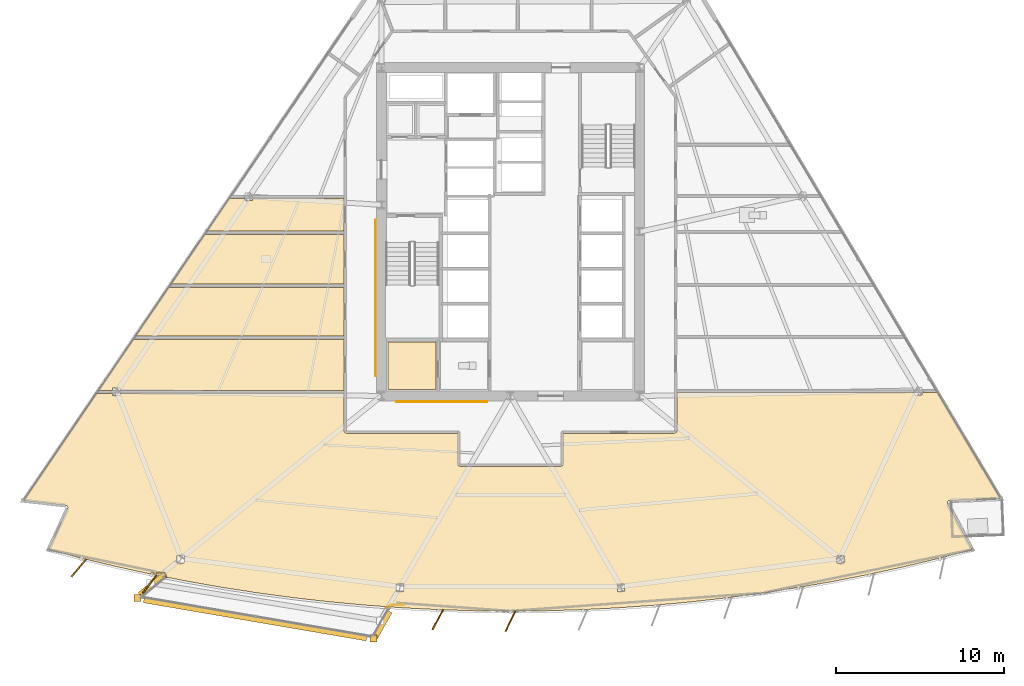
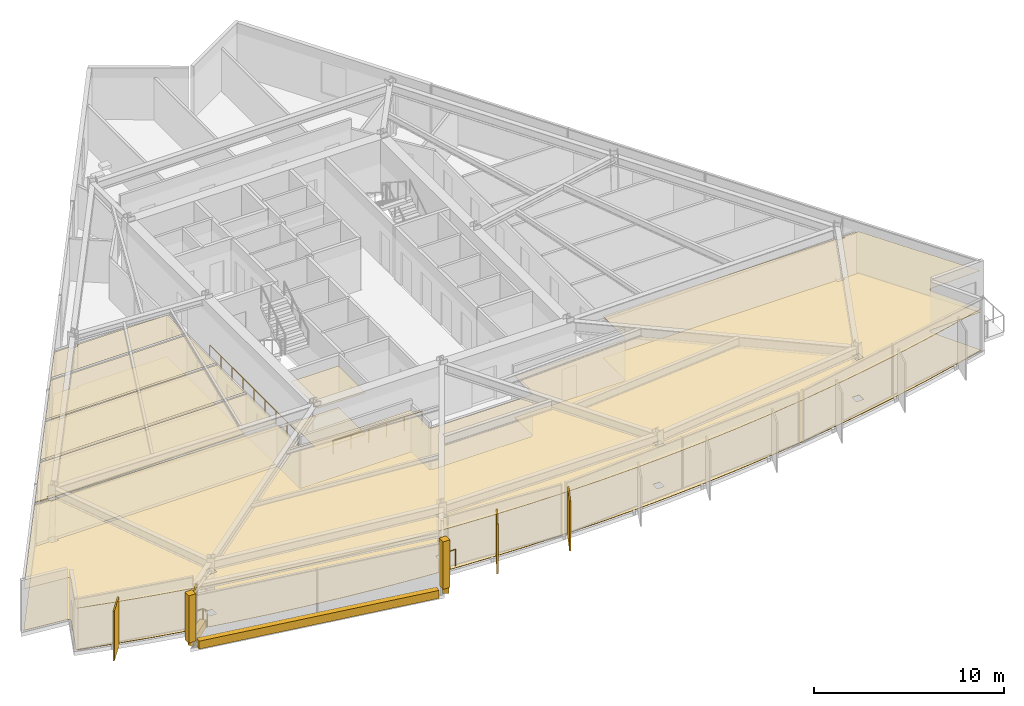
# One storey, part 13 of 17: 17 coverings, 4 railings, 4 shading devices.
"""IFC4 building model written with IfcOpenShell, lengths in metres."""

from ifc_helpers import new_model, si_unit, direction, frame, origin, origin_2d, place, context, subcontext, project, spatial, polyline, rectangle, circle, outline, extrude, material, layer, layer_set, type_object, element, save


model = new_model("IFC4")

# Units and contexts
model_context = context("Model", 3, precision=1e-05, world=origin(), true_north=direction((0.0, 1.0)))
body_context = subcontext(model_context, "Body", "Model", "MODEL_VIEW")
ifc_project = project(units=[si_unit("LENGTHUNIT", "METRE"), si_unit("AREAUNIT", "SQUARE_METRE"), si_unit("VOLUMEUNIT", "CUBIC_METRE"), si_unit("PLANEANGLEUNIT", "RADIAN"), si_unit("MASSUNIT", "GRAM", prefix="KILO")], contexts=[model_context])

# Site, building, storey
site_placement = place(None, origin())
site = spatial("IfcSite", under=ifc_project, at=site_placement, CompositionType="ELEMENT")
building_placement = place(site_placement, origin())
building = spatial("IfcBuilding", under=site, at=building_placement, Name="Savorim Split Tower", CompositionType="ELEMENT")
storey_placement = place(building_placement, frame((0.0, 0.0, 58.800048828125)))
storey = spatial("IfcBuildingStorey", under=building, at=storey_placement, Name="L15", CompositionType="ELEMENT", Elevation=58.800048828125)

# Coverings
ifc_material_1 = material(Name="Mineral Fibre Acoustic Ceiling")
ifc_layer_1 = layer(ifc_material_1, 0.02490234375)
ifc_layer_set_1 = layer_set([ifc_layer_1], Name="COV-CEIL-25")
covering_type_1 = type_object("IfcCoveringType", Name="COV-CEIL-25", PredefinedType="CEILING", material=ifc_layer_set_1)
covering_1_placement = place(storey_placement, frame((0.0, 0.0, 2.669921875)))
element("IfcCovering", 1, at=covering_1_placement, inside=storey, type_object=covering_type_1, Name="L15 Housekeeping Store Acoustic Ceiling", PredefinedType="CEILING", context=body_context, shape_type="SweptSolid", body=[
    extrude(outline(polyline([(-7.320068359375, -6.179931640625), (-7.320068359375, -9.02001953125), (-4.429931640625, -9.02001953125), (-4.429931640625, -6.179931640625), (-7.320068359375, -6.179931640625)])), origin(), (0.0, 0.0, 1.0), 0.025146484375),
])
covering_2_placement = place(storey_placement, frame((0.0, 0.0, 2.669921875)))
element("IfcCovering", 2, at=covering_2_placement, inside=storey, type_object=covering_type_1, Name="L15 Shared Kitchen Acoustic Ceiling", PredefinedType="CEILING", context=body_context, shape_type="SweptSolid", body=[
    extrude(outline(polyline([(-18.239501953125, 0.243896484375), (-20.262939453125, -2.730712890625), (-9.919921875, -2.730712890625), (-9.919921875, 0.243896484375), (-18.239501953125, 0.243896484375)])), origin(), (0.0, 0.0, 1.0), 0.025146484375),
])
covering_3_placement = place(storey_placement, frame((0.0, 0.0, 2.669921875)))
element("IfcCovering", 3, at=covering_3_placement, inside=storey, type_object=covering_type_1, Name="L15 Maker Workshop Acoustic Ceiling", PredefinedType="CEILING", context=body_context, shape_type="SweptSolid", body=[
    extrude(outline(polyline([(-20.39208984375, -2.920654296875), (-22.367431640625, -5.82421875), (-9.919921875, -5.82421875), (-9.919921875, -2.920654296875), (-20.39208984375, -2.920654296875)])), origin(), (0.0, 0.0, 1.0), 0.025146484375),
])
covering_4_placement = place(storey_placement, frame((0.0, 0.0, 2.669921875)))
element("IfcCovering", 4, at=covering_4_placement, inside=storey, type_object=covering_type_1, Name="L15 Maker Workshop Acoustic Ceiling", PredefinedType="CEILING", context=body_context, shape_type="SweptSolid", body=[
    extrude(outline(polyline([(-23.30517578125, -8.92724609375), (-23.30517578125, -9.059814453125), (-9.919921875, -9.059814453125), (-9.919921875, -6.014404296875), (-22.496826171875, -6.014404296875), (-24.568603515625, -9.059814453125), (-23.7373046875, -9.059814453125), (-23.7373046875, -8.92724609375), (-23.30517578125, -8.92724609375)])), origin(), (0.0, 0.0, 1.0), 0.025146484375),
])
covering_5_placement = place(storey_placement, frame((0.0, 0.0, 2.669921875)))
element("IfcCovering", 5, at=covering_5_placement, inside=storey, type_object=covering_type_1, Name="L15 Maker Workshop Acoustic Ceiling", PredefinedType="CEILING", context=body_context, shape_type="SweptSolid", body=[
    extrude(outline(polyline([(-26.404052734375, -16.033447265625), (-26.40380859375, -16.04541015625), (-26.40478515625, -16.057373046875), (-26.406982421875, -16.069091796875), (-26.410400390625, -16.08056640625), (-26.414794921875, -16.091552734375), (-27.549560546875, -18.561767578125), (-25.601806640625, -19.071044921875), (-23.50634765625, -19.573486328125), (-21.40087890625, -20.032958984375), (-19.286376953125, -20.44921875), (-17.163818359375, -20.822265625), (-15.0341796875, -21.15185546875), (-12.898193359375, -21.4375), (-10.756591796875, -21.6796875), (-8.610595703125, -21.877685546875), (-6.461181640625, -22.031982421875), (-4.30908203125, -22.14208984375), (-2.15478515625, -22.208251953125), (0.0, -22.23046875), (2.15478515625, -22.208251953125), (4.30908203125, -22.14208984375), (6.461181640625, -22.031982421875), (8.610595703125, -21.877685546875), (10.756591796875, -21.6796875), (12.898193359375, -21.4375), (15.0341796875, -21.15185546875), (17.163818359375, -20.822265625), (19.286376953125, -20.44921875), (21.40087890625, -20.032958984375), (23.50634765625, -19.573486328125), (25.601806640625, -19.071044921875), (27.54052734375, -18.564208984375), (26.066650390625, -15.817138671875), (26.061767578125, -15.806640625), (26.057861328125, -15.7958984375), (26.054931640625, -15.78466796875), (26.052978515625, -15.773193359375), (26.052490234375, -15.76171875), (26.052734375, -15.750244140625), (26.054443359375, -15.73876953125), (26.056884765625, -15.7275390625), (26.060791015625, -15.716552734375), (26.0654296875, -15.7060546875), (26.071044921875, -15.696044921875), (26.077880859375, -15.6865234375), (26.085205078125, -15.677978515625), (26.093505859375, -15.669921875), (26.102783203125, -15.66259765625), (26.1123046875, -15.656494140625), (26.122802734375, -15.651123046875), (26.13330078125, -15.64697265625), (26.14453125, -15.643798828125), (26.15576171875, -15.6416015625), (26.167236328125, -15.640380859375), (29.23046875, -15.51025390625), (25.458984375, -9.16796875), (25.458984375, -9.200927734375), (24.53662109375, -9.200927734375), (24.53662109375, -9.33349609375), (24.104736328125, -9.33349609375), (24.104736328125, -9.200927734375), (9.919921875, -9.200927734375), (9.919921875, -11.47998046875), (9.919189453125, -11.49365234375), (9.917236328125, -11.50732421875), (9.9140625, -11.5205078125), (9.9091796875, -11.53369140625), (9.903564453125, -11.5458984375), (9.896484375, -11.557861328125), (9.88818359375, -11.56884765625), (9.87890625, -11.5791015625), (9.868896484375, -11.588134765625), (9.85791015625, -11.596435546875), (9.845947265625, -11.603515625), (9.83349609375, -11.609375), (9.820556640625, -11.614013671875), (9.807373046875, -11.6171875), (9.793701171875, -11.619384765625), (9.780029296875, -11.6201171875), (3.139892578125, -11.6201171875), (3.139892578125, -13.449951171875), (3.139404296875, -13.463623046875), (3.13720703125, -13.477294921875), (3.134033203125, -13.490478515625), (3.12939453125, -13.503662109375), (3.12353515625, -13.51611328125), (3.116455078125, -13.52783203125), (3.108154296875, -13.538818359375), (3.09912109375, -13.549072265625), (3.0888671875, -13.55810546875), (3.077880859375, -13.56640625), (3.06591796875, -13.573486328125), (3.0537109375, -13.579345703125), (3.04052734375, -13.583984375), (3.02734375, -13.58740234375), (3.013671875, -13.58935546875), (3.0, -13.590087890625), (-3.0, -13.590087890625), (-3.013671875, -13.58935546875), (-3.02734375, -13.58740234375), (-3.04052734375, -13.583984375), (-3.0537109375, -13.579345703125), (-3.06591796875, -13.573486328125), (-3.077880859375, -13.56640625), (-3.0888671875, -13.55810546875), (-3.09912109375, -13.549072265625), (-3.108154296875, -13.538818359375), (-3.116455078125, -13.52783203125), (-3.12353515625, -13.51611328125), (-3.12939453125, -13.503662109375), (-3.134033203125, -13.490478515625), (-3.13720703125, -13.477294921875), (-3.139404296875, -13.463623046875), (-3.139892578125, -13.449951171875), (-3.139892578125, -11.6201171875), (-9.780029296875, -11.6201171875), (-9.793701171875, -11.619384765625), (-9.807373046875, -11.6171875), (-9.820556640625, -11.614013671875), (-9.83349609375, -11.609375), (-9.845947265625, -11.603515625), (-9.85791015625, -11.596435546875), (-9.868896484375, -11.588134765625), (-9.87890625, -11.5791015625), (-9.88818359375, -11.56884765625), (-9.896484375, -11.557861328125), (-9.903564453125, -11.5458984375), (-9.9091796875, -11.53369140625), (-9.9140625, -11.5205078125), (-9.917236328125, -11.50732421875), (-9.919189453125, -11.49365234375), (-9.919921875, -11.47998046875), (-9.919921875, -9.249755859375), (-23.30517578125, -9.249755859375), (-23.30517578125, -9.38232421875), (-23.7373046875, -9.38232421875), (-23.7373046875, -9.249755859375), (-24.57275390625, -9.249755859375), (-24.667724609375, -9.249755859375), (-24.667724609375, -9.20556640625), (-29.04443359375, -15.639404296875), (-26.510498046875, -15.922119140625), (-26.498779296875, -15.92431640625), (-26.4873046875, -15.92724609375), (-26.47607421875, -15.931396484375), (-26.46533203125, -15.936767578125), (-26.455078125, -15.943115234375), (-26.44580078125, -15.9501953125), (-26.43701171875, -15.95849609375), (-26.42919921875, -15.967529296875), (-26.42236328125, -15.977294921875), (-26.41650390625, -15.98779296875), (-26.41162109375, -15.99853515625), (-26.407958984375, -16.010009765625), (-26.405517578125, -16.021484375), (-26.404052734375, -16.033447265625)]), holes=[polyline([(-19.894775390625, -19.372802734375), (-19.462646484375, -19.372802734375), (-19.462646484375, -18.91796875), (-19.894775390625, -18.91796875), (-19.894775390625, -19.372802734375)]), polyline([(-6.811279296875, -21.052734375), (-6.37939453125, -21.052734375), (-6.37939453125, -20.59765625), (-6.811279296875, -20.59765625), (-6.811279296875, -21.052734375)]), polyline([(6.37939453125, -21.052734375), (6.811279296875, -21.052734375), (6.811279296875, -20.59765625), (6.37939453125, -20.59765625), (6.37939453125, -21.052734375)]), polyline([(19.894775390625, -19.372802734375), (19.894775390625, -18.91796875), (19.462646484375, -18.91796875), (19.462646484375, -19.372802734375), (19.894775390625, -19.372802734375)])]), origin(), (0.0, 0.0, 1.0), 0.025146484375),
])
covering_6_placement = place(storey_placement, frame((0.0, 0.0, 2.669921875)))
element("IfcCovering", 6, at=covering_6_placement, inside=storey, type_object=covering_type_1, Name="L15 Maker Workshop Acoustic Ceiling", PredefinedType="CEILING", context=body_context, shape_type="SweptSolid", body=[
    extrude(outline(polyline([(-15.822265625, 2.385009765625), (-16.657958984375, 2.385009765625), (-16.7529296875, 2.385009765625), (-16.7529296875, 2.42919921875), (-18.110107421875, 0.43408203125), (-9.919921875, 0.43408203125), (-9.919921875, 2.385009765625), (-15.390380859375, 2.385009765625), (-15.390380859375, 2.25244140625), (-15.822265625, 2.25244140625), (-15.822265625, 2.385009765625)])), origin(), (0.0, 0.0, 1.0), 0.025146484375),
])
ifc_material_2 = material(Name="Porcelain Stoneware Flooring", Category="masonry")
ifc_layer_2 = layer(ifc_material_2, 0.02001953125)
ifc_layer_set_2 = layer_set([ifc_layer_2], Name="COV-FLOR-20")
covering_type_2 = type_object("IfcCoveringType", Name="COV-FLOR-20", PredefinedType="FLOORING", material=ifc_layer_set_2)
covering_7_placement = place(storey_placement, origin())
element("IfcCovering", 7, at=covering_7_placement, inside=storey, type_object=covering_type_2, Name="L15 Housekeeping Store Porcelain Flooring", PredefinedType="FLOORING", context=body_context, shape_type="SweptSolid", body=[
    extrude(outline(polyline([(-7.320068359375, -6.179931640625), (-7.320068359375, -9.02001953125), (-4.429931640625, -9.02001953125), (-4.429931640625, -6.179931640625), (-7.320068359375, -6.179931640625)])), origin(), (0.0, 0.0, 1.0), 0.02001953125),
])
covering_8_placement = place(storey_placement, origin())
element("IfcCovering", 8, at=covering_8_placement, inside=storey, type_object=covering_type_2, Name="L15 Shared Kitchen Porcelain Flooring", PredefinedType="FLOORING", context=body_context, shape_type="SweptSolid", body=[
    extrude(outline(polyline([(-18.239501953125, 0.243896484375), (-20.262939453125, -2.730712890625), (-9.919921875, -2.730712890625), (-9.919921875, 0.243896484375), (-18.239501953125, 0.243896484375)])), origin(), (0.0, 0.0, 1.0), 0.02001953125),
])
covering_9_placement = place(storey_placement, origin())
element("IfcCovering", 9, at=covering_9_placement, inside=storey, type_object=covering_type_2, Name="L15 Maker Workshop Porcelain Flooring", PredefinedType="FLOORING", context=body_context, shape_type="SweptSolid", body=[
    extrude(outline(polyline([(-20.39208984375, -2.920654296875), (-22.367431640625, -5.82421875), (-9.919921875, -5.82421875), (-9.919921875, -2.920654296875), (-20.39208984375, -2.920654296875)])), origin(), (0.0, 0.0, 1.0), 0.02001953125),
])
covering_10_placement = place(storey_placement, origin())
element("IfcCovering", 10, at=covering_10_placement, inside=storey, type_object=covering_type_2, Name="L15 Maker Workshop Porcelain Flooring", PredefinedType="FLOORING", context=body_context, shape_type="SweptSolid", body=[
    extrude(outline(polyline([(-23.30517578125, -8.92724609375), (-23.30517578125, -9.059814453125), (-9.919921875, -9.059814453125), (-9.919921875, -6.014404296875), (-22.496826171875, -6.014404296875), (-24.568603515625, -9.059814453125), (-23.7373046875, -9.059814453125), (-23.7373046875, -8.92724609375), (-23.30517578125, -8.92724609375)])), origin(), (0.0, 0.0, 1.0), 0.02001953125),
])
covering_11_placement = place(storey_placement, origin())
element("IfcCovering", 11, at=covering_11_placement, inside=storey, type_object=covering_type_2, Name="L15 Maker Workshop Porcelain Flooring", PredefinedType="FLOORING", context=body_context, shape_type="SweptSolid", body=[
    extrude(outline(polyline([(-26.404052734375, -16.033447265625), (-26.40380859375, -16.04541015625), (-26.40478515625, -16.057373046875), (-26.406982421875, -16.069091796875), (-26.410400390625, -16.08056640625), (-26.414794921875, -16.091552734375), (-27.549560546875, -18.561767578125), (-25.601806640625, -19.071044921875), (-23.50634765625, -19.573486328125), (-21.40087890625, -20.032958984375), (-19.286376953125, -20.44921875), (-17.163818359375, -20.822265625), (-15.0341796875, -21.15185546875), (-12.898193359375, -21.4375), (-10.756591796875, -21.6796875), (-8.610595703125, -21.877685546875), (-6.461181640625, -22.031982421875), (-4.30908203125, -22.14208984375), (-2.15478515625, -22.208251953125), (0.0, -22.23046875), (2.15478515625, -22.208251953125), (4.30908203125, -22.14208984375), (6.461181640625, -22.031982421875), (8.610595703125, -21.877685546875), (10.756591796875, -21.6796875), (12.898193359375, -21.4375), (15.0341796875, -21.15185546875), (17.163818359375, -20.822265625), (19.286376953125, -20.44921875), (21.40087890625, -20.032958984375), (23.50634765625, -19.573486328125), (25.601806640625, -19.071044921875), (27.54052734375, -18.564208984375), (26.066650390625, -15.817138671875), (26.061767578125, -15.806640625), (26.057861328125, -15.7958984375), (26.054931640625, -15.78466796875), (26.052978515625, -15.773193359375), (26.052490234375, -15.76171875), (26.052734375, -15.750244140625), (26.054443359375, -15.73876953125), (26.056884765625, -15.7275390625), (26.060791015625, -15.716552734375), (26.0654296875, -15.7060546875), (26.071044921875, -15.696044921875), (26.077880859375, -15.6865234375), (26.085205078125, -15.677978515625), (26.093505859375, -15.669921875), (26.102783203125, -15.66259765625), (26.1123046875, -15.656494140625), (26.122802734375, -15.651123046875), (26.13330078125, -15.64697265625), (26.14453125, -15.643798828125), (26.15576171875, -15.6416015625), (26.167236328125, -15.640380859375), (29.23046875, -15.51025390625), (25.458984375, -9.16796875), (25.458984375, -9.200927734375), (24.53662109375, -9.200927734375), (24.53662109375, -9.33349609375), (24.104736328125, -9.33349609375), (24.104736328125, -9.200927734375), (9.919921875, -9.200927734375), (9.919921875, -11.47998046875), (9.919189453125, -11.49365234375), (9.917236328125, -11.50732421875), (9.9140625, -11.5205078125), (9.9091796875, -11.53369140625), (9.903564453125, -11.5458984375), (9.896484375, -11.557861328125), (9.88818359375, -11.56884765625), (9.87890625, -11.5791015625), (9.868896484375, -11.588134765625), (9.85791015625, -11.596435546875), (9.845947265625, -11.603515625), (9.83349609375, -11.609375), (9.820556640625, -11.614013671875), (9.807373046875, -11.6171875), (9.793701171875, -11.619384765625), (9.780029296875, -11.6201171875), (3.139892578125, -11.6201171875), (3.139892578125, -13.449951171875), (3.139404296875, -13.463623046875), (3.13720703125, -13.477294921875), (3.134033203125, -13.490478515625), (3.12939453125, -13.503662109375), (3.12353515625, -13.51611328125), (3.116455078125, -13.52783203125), (3.108154296875, -13.538818359375), (3.09912109375, -13.549072265625), (3.0888671875, -13.55810546875), (3.077880859375, -13.56640625), (3.06591796875, -13.573486328125), (3.0537109375, -13.579345703125), (3.04052734375, -13.583984375), (3.02734375, -13.58740234375), (3.013671875, -13.58935546875), (3.0, -13.590087890625), (-3.0, -13.590087890625), (-3.013671875, -13.58935546875), (-3.02734375, -13.58740234375), (-3.04052734375, -13.583984375), (-3.0537109375, -13.579345703125), (-3.06591796875, -13.573486328125), (-3.077880859375, -13.56640625), (-3.0888671875, -13.55810546875), (-3.09912109375, -13.549072265625), (-3.108154296875, -13.538818359375), (-3.116455078125, -13.52783203125), (-3.12353515625, -13.51611328125), (-3.12939453125, -13.503662109375), (-3.134033203125, -13.490478515625), (-3.13720703125, -13.477294921875), (-3.139404296875, -13.463623046875), (-3.139892578125, -13.449951171875), (-3.139892578125, -11.6201171875), (-9.780029296875, -11.6201171875), (-9.793701171875, -11.619384765625), (-9.807373046875, -11.6171875), (-9.820556640625, -11.614013671875), (-9.83349609375, -11.609375), (-9.845947265625, -11.603515625), (-9.85791015625, -11.596435546875), (-9.868896484375, -11.588134765625), (-9.87890625, -11.5791015625), (-9.88818359375, -11.56884765625), (-9.896484375, -11.557861328125), (-9.903564453125, -11.5458984375), (-9.9091796875, -11.53369140625), (-9.9140625, -11.5205078125), (-9.917236328125, -11.50732421875), (-9.919189453125, -11.49365234375), (-9.919921875, -11.47998046875), (-9.919921875, -9.249755859375), (-23.30517578125, -9.249755859375), (-23.30517578125, -9.38232421875), (-23.7373046875, -9.38232421875), (-23.7373046875, -9.249755859375), (-24.57275390625, -9.249755859375), (-24.667724609375, -9.249755859375), (-24.667724609375, -9.20556640625), (-29.04443359375, -15.639404296875), (-26.510498046875, -15.922119140625), (-26.498779296875, -15.92431640625), (-26.4873046875, -15.92724609375), (-26.47607421875, -15.931396484375), (-26.46533203125, -15.936767578125), (-26.455078125, -15.943115234375), (-26.44580078125, -15.9501953125), (-26.43701171875, -15.95849609375), (-26.42919921875, -15.967529296875), (-26.42236328125, -15.977294921875), (-26.41650390625, -15.98779296875), (-26.41162109375, -15.99853515625), (-26.407958984375, -16.010009765625), (-26.405517578125, -16.021484375), (-26.404052734375, -16.033447265625)]), holes=[polyline([(-19.894775390625, -19.372802734375), (-19.462646484375, -19.372802734375), (-19.462646484375, -18.91796875), (-19.894775390625, -18.91796875), (-19.894775390625, -19.372802734375)]), polyline([(-6.811279296875, -21.052734375), (-6.37939453125, -21.052734375), (-6.37939453125, -20.59765625), (-6.811279296875, -20.59765625), (-6.811279296875, -21.052734375)]), polyline([(6.37939453125, -21.052734375), (6.811279296875, -21.052734375), (6.811279296875, -20.59765625), (6.37939453125, -20.59765625), (6.37939453125, -21.052734375)]), polyline([(19.894775390625, -19.372802734375), (19.894775390625, -18.91796875), (19.462646484375, -18.91796875), (19.462646484375, -19.372802734375), (19.894775390625, -19.372802734375)])]), origin(), (0.0, 0.0, 1.0), 0.02001953125),
])
covering_12_placement = place(storey_placement, origin())
element("IfcCovering", 12, at=covering_12_placement, inside=storey, type_object=covering_type_2, Name="L15 Maker Workshop Porcelain Flooring", PredefinedType="FLOORING", context=body_context, shape_type="SweptSolid", body=[
    extrude(outline(polyline([(-15.822265625, 2.385009765625), (-16.657958984375, 2.385009765625), (-16.7529296875, 2.385009765625), (-16.7529296875, 2.42919921875), (-18.110107421875, 0.43408203125), (-9.919921875, 0.43408203125), (-9.919921875, 2.385009765625), (-15.390380859375, 2.385009765625), (-15.390380859375, 2.25244140625), (-15.822265625, 2.25244140625), (-15.822265625, 2.385009765625)])), origin(), (0.0, 0.0, 1.0), 0.02001953125),
])
ifc_material_3 = material(Name="White Porcelain Architectural Cladding")
ifc_layer_3 = layer(ifc_material_3, 0.139892578125)
ifc_layer_set_3 = layer_set([ifc_layer_3], Name="COV-FRM-WHITE")
covering_type_3 = type_object("IfcCoveringType", Name="COV-FRM-WHITE", PredefinedType="CLADDING", material=ifc_layer_set_3)
covering_13_placement = place(storey_placement, frame((0.0, 0.0, 0.010009765625)))
element("IfcCovering", 13, at=covering_13_placement, inside=storey, type_object=covering_type_3, Name="L15 Cantilevered Lounge White Lower Frame Band W", PredefinedType="CLADDING", context=body_context, shape_type="SweptSolid", body=[
    extrude(outline(polyline([(-20.82421875, -19.976806640625), (-22.2109375, -21.12451171875), (-21.994140625, -21.386474609375), (-20.607421875, -20.23876953125), (-20.82421875, -19.976806640625)])), origin(), (0.0, 0.0, 1.0), 0.510009765625),
])
covering_14_placement = place(storey_placement, frame((0.0, 0.0, 0.010009765625)))
element("IfcCovering", 14, at=covering_14_placement, inside=storey, type_object=covering_type_3, Name="L15 Cantilevered Lounge White Lower Frame Band F", PredefinedType="CLADDING", context=body_context, shape_type="SweptSolid", body=[
    extrude(outline(polyline([(-21.8984375, -21.7314453125), (-8.609130859375, -24.009033203125), (-8.551513671875, -23.673828125), (-21.8408203125, -21.396484375), (-21.8984375, -21.7314453125)])), origin(), (0.0, 0.0, 1.0), 0.510009765625),
])
covering_15_placement = place(storey_placement, frame((0.0, 0.0, 0.010009765625)))
element("IfcCovering", 15, at=covering_15_placement, inside=storey, type_object=covering_type_3, Name="L15 Cantilevered Lounge White Lower Frame Band E", PredefinedType="CLADDING", context=body_context, shape_type="SweptSolid", body=[
    extrude(outline(polyline([(-7.94677734375, -23.8984375), (-7.060546875, -22.33154296875), (-7.356689453125, -22.164306640625), (-8.24267578125, -23.731201171875), (-7.94677734375, -23.8984375)])), origin(), (0.0, 0.0, 1.0), 0.510009765625),
])
covering_16_placement = place(storey_placement, frame((0.0, 0.0, 0.5400390625)))
element("IfcCovering", 16, at=covering_16_placement, inside=storey, type_object=covering_type_3, Name="L15 Cantilevered Lounge White Frame Corner Post 1", PredefinedType="CLADDING", context=body_context, shape_type="SweptSolid", body=[
    extrude(outline(polyline([(-22.465576171875, -21.656982421875), (-22.04541015625, -21.656982421875), (-22.04541015625, -21.237060546875), (-22.465576171875, -21.237060546875), (-22.465576171875, -21.656982421875)])), origin(), (0.0, 0.0, 1.0), 3.0498046875),
])
covering_17_placement = place(storey_placement, frame((0.0, 0.0, 0.5400390625)))
element("IfcCovering", 17, at=covering_17_placement, inside=storey, type_object=covering_type_3, Name="L15 Cantilevered Lounge White Frame Corner Post 2", PredefinedType="CLADDING", context=body_context, shape_type="SweptSolid", body=[
    extrude(outline(polyline([(-8.3876953125, -24.06982421875), (-7.967529296875, -24.06982421875), (-7.967529296875, -23.64990234375), (-8.3876953125, -23.64990234375), (-8.3876953125, -24.06982421875)])), origin(), (0.0, 0.0, 1.0), 3.0498046875),
])

# Railings
ifc_material_4 = material(Name="Galvanised Painted Steel Balustrade", Category="steel")
railing_type_1 = type_object("IfcRailingType", Name="RLG-BAL-1100", PredefinedType="BALUSTRADE", material=ifc_material_4)
railing_1_placement = place(storey_placement, frame((-21.40234375, -19.9453125, 0.0)))
element("IfcRailing", 18, at=railing_1_placement, inside=storey, type_object=railing_type_1, Name="L15 Cantilevered Lounge West Edge Closure Guard", PredefinedType="BALUSTRADE", context=body_context, shape_type="SweptSolid", body=[
    extrude(circle(Radius=0.02392578125, at=origin_2d()), frame((0.0, 0.0, 1.076171875), z_axis=(1.0, 0.0, 0.0), x_axis=(0.0, 1.0, 0.0)), (0.0, 0.0, 1.0), 0.780029296875),
    extrude(circle(Radius=0.02392578125, at=origin_2d()), frame((0.780029296875, 0.0, 1.076171875), z_axis=(0.344521031273, -0.93877859957, 0.0), x_axis=(0.93877859957, 0.344521031273, 0.0)), (0.0, 0.0, 1.0), 0.296142578125),
    extrude(circle(Radius=0.02099609375, at=origin_2d()), origin(), (0.0, 0.0, 1.0), 1.052001953125),
    extrude(circle(Radius=0.02099609375, at=origin_2d()), frame((0.780029296875, 0.0, 0.0)), (0.0, 0.0, 1.0), 1.052001953125),
    extrude(circle(Radius=0.02099609375, at=origin_2d()), frame((0.882080078125, -0.278076171875, 0.0)), (0.0, 0.0, 1.0), 1.052001953125),
])
railing_2_placement = place(storey_placement, frame((-7.3603515625, -22.034912109375, 0.0)))
element("IfcRailing", 19, at=railing_2_placement, inside=storey, type_object=railing_type_1, Name="L15 Cantilevered Lounge East Edge Closure Guard", PredefinedType="BALUSTRADE", context=body_context, shape_type="SweptSolid", body=[
    extrude(circle(Radius=0.02392578125, at=origin_2d()), frame((0.0, 0.0, 1.076171875), z_axis=(0.798861025497, 0.601515637321, 0.0), x_axis=(-0.601515637321, 0.798861025497, 0.0)), (0.0, 0.0, 1.0), 0.283203125),
    extrude(circle(Radius=0.02392578125, at=origin_2d()), frame((0.226318359375, 0.17041015625, 1.076171875), z_axis=(1.0, 0.0, 0.0), x_axis=(0.0, 1.0, 0.0)), (0.0, 0.0, 1.0), 0.780029296875),
    extrude(circle(Radius=0.02099609375, at=origin_2d()), origin(), (0.0, 0.0, 1.0), 1.052001953125),
    extrude(circle(Radius=0.02099609375, at=origin_2d()), frame((0.226318359375, 0.17041015625, 0.0)), (0.0, 0.0, 1.0), 1.052001953125),
    extrude(circle(Radius=0.02099609375, at=origin_2d()), frame((1.00634765625, 0.17041015625, 0.0)), (0.0, 0.0, 1.0), 1.052001953125),
])
railing_type_2 = type_object("IfcRailingType", Name="RLG-HR-900", PredefinedType="HANDRAIL", material=ifc_material_4)
railing_3_placement = place(storey_placement, frame((-6.800048828125, -9.75, 0.0)))
element("IfcRailing", 20, at=railing_3_placement, inside=storey, type_object=railing_type_2, Name="L15 Corridor South Accessible Handrail", PredefinedType="HANDRAIL", context=body_context, shape_type="SweptSolid", body=[
    extrude(circle(Radius=0.02392578125, at=origin_2d()), frame((0.0, 0.0, 0.8759765625), z_axis=(1.0, 0.0, 0.0), x_axis=(0.0, 1.0, 0.0)), (0.0, 0.0, 1.0), 5.400146484375),
    extrude(circle(Radius=0.02099609375, at=origin_2d()), origin(), (0.0, 0.0, 1.0), 0.851806640625),
    extrude(circle(Radius=0.02099609375, at=origin_2d()), frame((1.080078125, 0.0, 0.0)), (0.0, 0.0, 1.0), 0.851806640625),
    extrude(circle(Radius=0.02099609375, at=origin_2d()), frame((2.16015625, 0.0, 0.0)), (0.0, 0.0, 1.0), 0.851806640625),
    extrude(circle(Radius=0.02099609375, at=origin_2d()), frame((3.239990234375, 0.0, 0.0)), (0.0, 0.0, 1.0), 0.851806640625),
    extrude(circle(Radius=0.02099609375, at=origin_2d()), frame((4.320068359375, 0.0, 0.0)), (0.0, 0.0, 1.0), 0.851806640625),
    extrude(circle(Radius=0.02099609375, at=origin_2d()), frame((5.400146484375, 0.0, 0.0)), (0.0, 0.0, 1.0), 0.851806640625),
])
railing_4_placement = place(storey_placement, frame((-8.050048828125, -8.199951171875, 0.0)))
element("IfcRailing", 21, at=railing_4_placement, inside=storey, type_object=railing_type_2, Name="L15 Corridor West Accessible Handrail", PredefinedType="HANDRAIL", context=body_context, shape_type="SweptSolid", body=[
    extrude(circle(Radius=0.02392578125, at=origin_2d()), frame((0.0, 0.0, 0.8759765625), z_axis=(0.0, 1.0, 0.0), x_axis=(-1.0, 0.0, 0.0)), (0.0, 0.0, 1.0), 9.300048828125),
    extrude(circle(Radius=0.02099609375, at=origin_2d()), origin(), (0.0, 0.0, 1.0), 0.851806640625),
    extrude(circle(Radius=0.02099609375, at=origin_2d()), frame((0.0, 1.16259765625, 0.0)), (0.0, 0.0, 1.0), 0.851806640625),
    extrude(circle(Radius=0.02099609375, at=origin_2d()), frame((0.0, 2.324951171875, 0.0)), (0.0, 0.0, 1.0), 0.851806640625),
    extrude(circle(Radius=0.02099609375, at=origin_2d()), frame((0.0, 3.487548828125, 0.0)), (0.0, 0.0, 1.0), 0.851806640625),
    extrude(circle(Radius=0.02099609375, at=origin_2d()), frame((0.0, 4.64990234375, 0.0)), (0.0, 0.0, 1.0), 0.851806640625),
    extrude(circle(Radius=0.02099609375, at=origin_2d()), frame((0.0, 5.8125, 0.0)), (0.0, 0.0, 1.0), 0.851806640625),
    extrude(circle(Radius=0.02099609375, at=origin_2d()), frame((0.0, 6.97509765625, 0.0)), (0.0, 0.0, 1.0), 0.851806640625),
    extrude(circle(Radius=0.02099609375, at=origin_2d()), frame((0.0, 8.137451171875, 0.0)), (0.0, 0.0, 1.0), 0.851806640625),
    extrude(circle(Radius=0.02099609375, at=origin_2d()), frame((0.0, 9.300048828125, 0.0)), (0.0, 0.0, 1.0), 0.851806640625),
])

# Shading devices
ifc_material_5 = material(Name="Terracotta Ceramic-Coated Aluminium Fin", Category="masonry")
shading_device_type = type_object("IfcShadingDeviceType", Name="SHD-FIN-1360", PredefinedType="USERDEFINED", material=ifc_material_5)
for number, where, z_axis, x_axis, name in (
    (22, (-25.746826171875, -19.649169921875, -0.2001953125), (0.0, 0.0, 1.0), (-0.643719022682, -0.765261928909, 0.0), "L15 Sawtooth Shading Fin 01"),
    (23, (-21.52197265625, -20.61669921875, -0.2001953125), (0.0, 0.0, 1.0), (-0.611868076908, -0.790959832394, 0.0), "L15 Sawtooth Shading Fin 02"),
    (24, (-4.33349609375, -22.73779296875, -0.2001953125), (0.0, 0.0, 1.0), (-0.474778051978, -0.880105562623, 0.0), "L15 Sawtooth Shading Fin 06"),
    (25, (0.0, -22.826416015625, -0.2001953125), (0.0, 0.0, 1.0), (-0.438371146789, -0.898794046299, 0.0), "L15 Sawtooth Shading Fin 07"),
):
    element("IfcShadingDevice", number, at=place(storey_placement, frame(where, z_axis=z_axis, x_axis=x_axis)), inside=storey, type_object=shading_device_type, Name=name, ObjectType="FIN", PredefinedType="USERDEFINED", context=body_context, shape_type="SweptSolid", body=[
        extrude(rectangle(XDim=1.360107421875, YDim=0.080078125, at=origin_2d()), origin(), (0.0, 0.0, 1.0), 3.199951171875),
    ])

save(model, "model.ifc")
